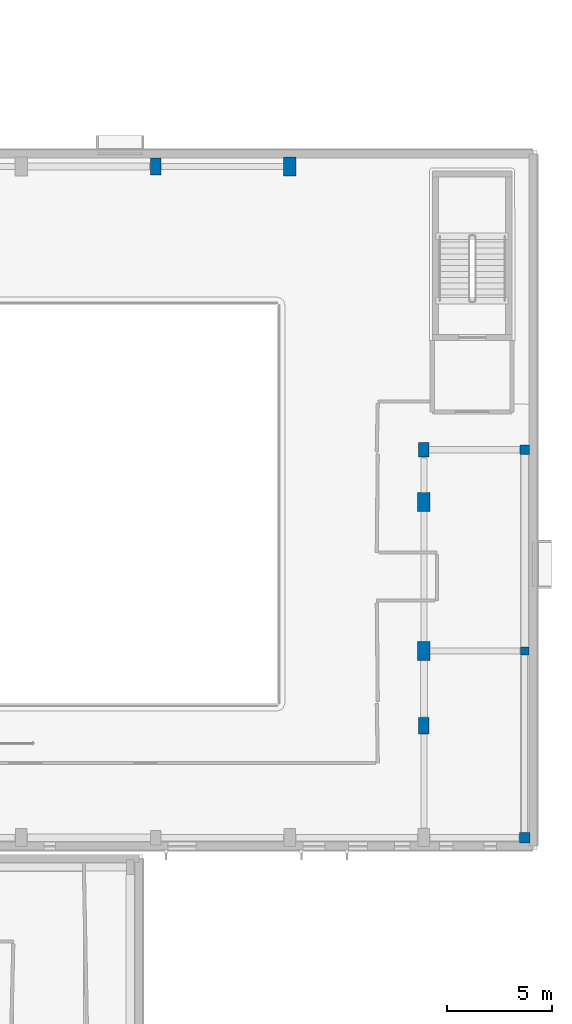
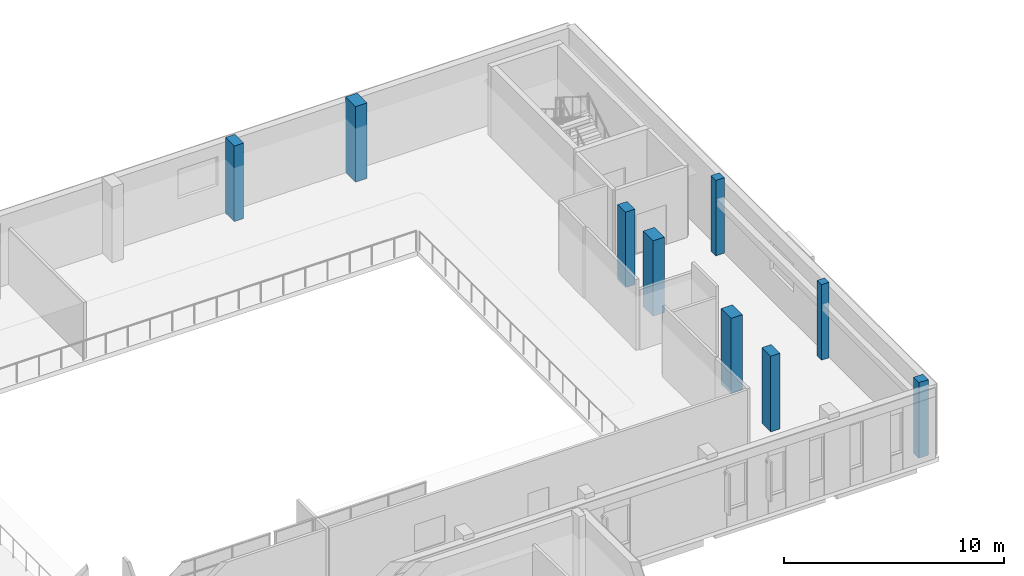
# One storey, part 9 of 84: 9 columns.
"""IFC4 building model written with IfcOpenShell, lengths in metres."""

import ifcopenshell
import ifcopenshell.guid

model = None  # the IFC model being written
_history = None  # IfcOwnerHistory: only IFC2X3 demands one
_inside = {}  # id of a spatial element -> (the spatial element, [elements in it])
_under = {}  # id of a project, library or spatial element -> (it, [spatial elements below it])
_declared = {}  # id of a project -> (the project, [libraries it declares])
_typed = {}  # id of a type object -> (the type object, [elements of that type])
_made_of = {}  # id of a material, layer set ... -> (it, [elements and type objects made of it])


def new_model(schema):
    """Start an empty IFC model of exactly this schema.

    Asked for "IFC4X3", IfcOpenShell would pick the latest addendum, in which some entities
    have other attributes; the version numbers below select the first issue.
    IFC2X3 requires an IfcOwnerHistory on every rooted entity: one is made here for all.
    """
    global model, _history
    if schema == "IFC4X3":
        model = ifcopenshell.file(schema_version=(4, 3, 0, 0))
    else:
        model = ifcopenshell.file(schema=schema)
    _inside.clear()
    _under.clear()
    _declared.clear()
    _typed.clear()
    _made_of.clear()
    _history = None
    if model.schema == "IFC2X3":
        org = make("IfcOrganization", Name="unknown")
        user = make(
            "IfcPersonAndOrganization",
            ThePerson=make("IfcPerson", FamilyName="unknown"),
            TheOrganization=org,
        )
        app = make(
            "IfcApplication",
            ApplicationDeveloper=org,
            Version="unknown",
            ApplicationFullName="unknown",
            ApplicationIdentifier="unknown",
        )
        _history = make(
            "IfcOwnerHistory",
            OwningUser=user,
            OwningApplication=app,
            ChangeAction="ADDED",
            CreationDate=0,
        )
    return model


def make(cls, **values):
    """One entity of the class cls with the attributes given. An attribute that is None is left unset."""
    return model.create_entity(
        cls, **{name: value for name, value in values.items() if value is not None}
    )


def rooted(cls, **values):
    """An entity with a GlobalId (a new one), such as an element, a storey or a relation."""
    return make(cls, GlobalId=ifcopenshell.guid.new(), OwnerHistory=_history, **values)


def si_unit(unit_type, name, prefix=None):
    """IfcSIUnit, for example si_unit("LENGTHUNIT", "METRE", prefix="MILLI")."""
    return make("IfcSIUnit", UnitType=unit_type, Prefix=prefix, Name=name)


def assignment(units):
    """IfcUnitAssignment: the units of a project."""
    return None if units is None else make("IfcUnitAssignment", Units=units)


def point(xyz):
    """IfcCartesianPoint."""
    return None if xyz is None else make("IfcCartesianPoint", Coordinates=xyz)


def direction(xyz):
    """IfcDirection."""
    return None if xyz is None else make("IfcDirection", DirectionRatios=xyz)


def frame(location, z_axis=None, x_axis=None):
    """IfcAxis2Placement3D, a coordinate frame: its origin and axes. An axis left out is left unset."""
    return make(
        "IfcAxis2Placement3D",
        Location=point(location),
        Axis=direction(z_axis),
        RefDirection=direction(x_axis),
    )


def frame_2d(location, x_axis=None):
    """IfcAxis2Placement2D, a coordinate frame in the plane: its origin and x axis."""
    return make(
        "IfcAxis2Placement2D", Location=point(location), RefDirection=direction(x_axis)
    )


def origin():
    """The frame at (0, 0, 0) with its axes left unset."""
    return frame((0.0, 0.0, 0.0))


def origin_2d():
    """The frame at (0, 0) in the plane with its x axis left unset."""
    return frame_2d((0.0, 0.0))


def place(relative_to, where):
    """IfcLocalPlacement: puts the frame where relative to a parent placement (None: the world)."""
    return make(
        "IfcLocalPlacement", PlacementRelTo=relative_to, RelativePlacement=where
    )


def context(
    kind, dimensions, precision=None, world=None, true_north=None, identifier=None
):
    """IfcGeometricRepresentationContext, for example the 3D "Model" context."""
    return make(
        "IfcGeometricRepresentationContext",
        ContextIdentifier=identifier,
        ContextType=kind,
        CoordinateSpaceDimension=dimensions,
        Precision=precision,
        WorldCoordinateSystem=world,
        TrueNorth=true_north,
    )


def subcontext(parent, identifier, kind, view, scale=None):
    """IfcGeometricRepresentationSubContext, for example "Body" below "Model"."""
    return make(
        "IfcGeometricRepresentationSubContext",
        ContextIdentifier=identifier,
        ContextType=kind,
        ParentContext=parent,
        TargetScale=scale,
        TargetView=view,
    )


def project(units=None, contexts=None):
    """IfcProject with its units and contexts."""
    return rooted(
        "IfcProject",
        Name="project",
        RepresentationContexts=contexts,
        UnitsInContext=assignment(units),
    )


def spatial(cls, under=None, at=None, **own):
    """A site, building, storey or space (cls), placed at a placement, below another one or the project."""
    s = rooted(cls, ObjectPlacement=at, **own)
    if under is not None:
        _under.setdefault(under.id(), (under, []))[1].append(s)
    return s


def profile(cls, at=None, kind="AREA", **sizes):
    """A parametric profile (cls). Its sizes go by their IFC names, for example OverallWidth=200.0."""
    return make(cls, ProfileType=kind, Position=at, **sizes)


def rectangle(**sizes):
    """IfcRectangleProfileDef."""
    return profile("IfcRectangleProfileDef", **sizes)


def extrude(swept, where, along, depth):
    """IfcExtrudedAreaSolid: the profile swept, set in the frame where, extruded along a direction by depth."""
    return make(
        "IfcExtrudedAreaSolid",
        SweptArea=swept,
        Position=where,
        ExtrudedDirection=direction(along),
        Depth=depth,
    )


def shape(context_of_items, identifier, shape_type, items):
    """IfcShapeRepresentation: the items that make up one representation, for example the "Body"."""
    return make(
        "IfcShapeRepresentation",
        ContextOfItems=context_of_items,
        RepresentationIdentifier=identifier,
        RepresentationType=shape_type,
        Items=items,
    )


def material(Name=None, Category=None):
    """IfcMaterial."""
    return make("IfcMaterial", Name=Name, Category=Category)


def material_profile(
    of_material, cross_section, Name=None, Category=None, Priority=None
):
    """IfcMaterialProfile: a cross section and its material."""
    return make(
        "IfcMaterialProfile",
        Name=Name,
        Material=of_material,
        Profile=cross_section,
        Priority=Priority,
        Category=Category,
    )


def profile_set(profiles, Name=None, composite=None):
    """IfcMaterialProfileSet."""
    return make(
        "IfcMaterialProfileSet",
        Name=Name,
        MaterialProfiles=profiles,
        CompositeProfile=composite,
    )


def made_of(thing, what):
    """Note that an element or type object is made of a material, layer set ...; save() writes the relation."""
    if what is not None:
        _made_of.setdefault(what.id(), (what, []))[1].append(thing)
    return thing


def type_object(cls, material=None, **own):
    """A type object (cls), such as IfcWallType, which elements share."""
    return made_of(rooted(cls, **own), material)


def element(
    cls,
    number,
    at=None,
    inside=None,
    cuts=None,
    type_object=None,
    material=None,
    context=None,
    identifier="Body",
    shape_type=None,
    held_by="IfcProductDefinitionShape",
    body=None,
    shapes=None,
    **own,
):
    """One element of the class cls, such as IfcWall. Its Tag is "e" and its number.

    at: its placement. inside: the storey or other place that contains it. cuts: it is an
    opening in that element (IfcRelVoidsElement). A single representation is given by context,
    identifier, shape_type and body (its items); several are given by shapes. held_by: the class
    of the entity that holds the representations. save() writes the other relations.
    """
    e = rooted(cls, Tag="e%d" % number, ObjectPlacement=at, **own)
    if body is not None:
        shapes = [shape(context, identifier, shape_type, body)]
    if shapes is not None:
        e.Representation = make(held_by, Representations=shapes)
    if inside is not None:
        _inside.setdefault(inside.id(), (inside, []))[1].append(e)
    if cuts is not None:
        rooted(
            "IfcRelVoidsElement", RelatingBuildingElement=cuts, RelatedOpeningElement=e
        )
    if type_object is not None:
        _typed.setdefault(type_object.id(), (type_object, []))[1].append(e)
    return made_of(e, material)


def aggregate(whole, parts):
    """IfcRelAggregates: a whole, such as a stair, and the parts it consists of."""
    return rooted("IfcRelAggregates", RelatingObject=whole, RelatedObjects=parts)


def save(model, path):
    """Write the relations noted so far, then the file.

    IfcRelAggregates (storeys below a building ...), IfcRelContainedInSpatialStructure (elements
    in a storey), IfcRelDefinesByType, IfcRelAssociatesMaterial and IfcRelDeclares: one each for
    every whole, place, type object, material and project.
    """
    for whole, parts in _under.values():
        aggregate(whole, parts)
    for where, things in _inside.values():
        rooted(
            "IfcRelContainedInSpatialStructure",
            RelatedElements=things,
            RelatingStructure=where,
        )
    for kind, things in _typed.values():
        rooted("IfcRelDefinesByType", RelatedObjects=things, RelatingType=kind)
    for what, things in _made_of.values():
        rooted("IfcRelAssociatesMaterial", RelatedObjects=things, RelatingMaterial=what)
    for by, libraries in _declared.values():
        rooted("IfcRelDeclares", RelatingContext=by, RelatedDefinitions=libraries)
    model.write(path)


model = new_model("IFC4")

# Units and contexts
model_context = context("Model", 3, precision=1e-05, world=origin(), true_north=direction((0.0, 1.0)))
body_context = subcontext(model_context, "Body", "Model", "MODEL_VIEW")
ifc_project = project(units=[si_unit("LENGTHUNIT", "METRE"), si_unit("AREAUNIT", "SQUARE_METRE"), si_unit("VOLUMEUNIT", "CUBIC_METRE"), si_unit("PLANEANGLEUNIT", "RADIAN"), si_unit("MASSUNIT", "GRAM", prefix="KILO")], contexts=[model_context])

# Site, building, storey
site_placement = place(None, origin())
site = spatial("IfcSite", under=ifc_project, at=site_placement, CompositionType="ELEMENT")
building_placement = place(site_placement, origin())
building = spatial("IfcBuilding", under=site, at=building_placement, Name="Mzevani Central Library", CompositionType="ELEMENT")
storey_placement = place(building_placement, frame((0.0, 0.0, 5.39990234375)))
storey = spatial("IfcBuildingStorey", under=building, at=storey_placement, Name="L01", CompositionType="ELEMENT", Elevation=5.39990234375)

# Columns
ifc_material = material(Name="Concrete C40/50", Category="concrete")
ifc_material_profile_1 = material_profile(ifc_material, rectangle(XDim=0.39990234375, YDim=0.39990234375, at=origin_2d()), Name="RC 400x400")
ifc_profile_set_1 = profile_set([ifc_material_profile_1], Name="Concrete C40/50")
column_type_1 = type_object("IfcColumnType", Name="Column RC 400x400", PredefinedType="COLUMN", material=ifc_profile_set_1)
column_1_placement = place(storey_placement, frame((163.800048828125, 52.0, 0.0), z_axis=(0.0, 0.0, 1.0), x_axis=(1.0, 0.0, 0.0)))
element("IfcColumn", 1, at=column_1_placement, inside=storey, type_object=column_type_1, Name="L01 V1 Column C-02 (36)", PredefinedType="COLUMN", context=body_context, shape_type="SweptSolid", body=[
    extrude(rectangle(XDim=0.39990234375, YDim=0.39990234375, at=origin_2d()), origin(), (0.0, 0.0, 1.0), 4.2001953125),
])
ifc_material_profile_2 = material_profile(ifc_material, rectangle(XDim=0.449951171875, YDim=0.449951171875, at=origin_2d()), Name="RC 450x450")
ifc_profile_set_2 = profile_set([ifc_material_profile_2], Name="Concrete C40/50")
column_type_2 = type_object("IfcColumnType", Name="Column RC 450x450", PredefinedType="COLUMN", material=ifc_profile_set_2)
column_2_placement = place(storey_placement, frame((163.800048828125, 61.60009765625, 0.0), z_axis=(0.0, 0.0, 1.0), x_axis=(1.0, 0.0, 0.0)))
element("IfcColumn", 2, at=column_2_placement, inside=storey, type_object=column_type_2, Name="L01 V1 Column C-03 (37)", PredefinedType="COLUMN", context=body_context, shape_type="SweptSolid", body=[
    extrude(rectangle(XDim=0.449951171875, YDim=0.449951171875, at=origin_2d()), origin(), (0.0, 0.0, 1.0), 4.2001953125),
])
ifc_material_profile_3 = material_profile(ifc_material, rectangle(XDim=0.5, YDim=0.5, at=origin_2d()), Name="RC 500x500")
ifc_profile_set_3 = profile_set([ifc_material_profile_3], Name="Concrete C40/50")
column_type_3 = type_object("IfcColumnType", Name="Column RC 500x500", PredefinedType="COLUMN", material=ifc_profile_set_3)
column_3_placement = place(storey_placement, frame((163.800048828125, 43.10009765625, 0.0), z_axis=(0.0, 0.0, 1.0), x_axis=(1.0, 0.0, 0.0)))
element("IfcColumn", 3, at=column_3_placement, inside=storey, type_object=column_type_3, Name="L01 V1 Column C-04 (35)", PredefinedType="COLUMN", context=body_context, shape_type="SweptSolid", body=[
    extrude(rectangle(XDim=0.5, YDim=0.5, at=origin_2d()), origin(), (0.0, 0.0, 1.0), 4.2001953125),
])
ifc_material_profile_4 = material_profile(ifc_material, rectangle(XDim=0.5, YDim=0.699951171875, at=origin_2d()), Name="RC 500x700")
ifc_profile_set_4 = profile_set([ifc_material_profile_4], Name="Concrete C40/50")
column_type_4 = type_object("IfcColumnType", Name="Column RC 500x700", PredefinedType="COLUMN", material=ifc_profile_set_4)
column_4_placement = place(storey_placement, frame((159.0, 61.60009765625, 0.0), z_axis=(0.0, 0.0, 1.0), x_axis=(1.0, 0.0, 0.0)))
element("IfcColumn", 4, at=column_4_placement, inside=storey, type_object=column_type_4, Name="L01 V1 Column C-14 (34)", PredefinedType="COLUMN", context=body_context, shape_type="SweptSolid", body=[
    extrude(rectangle(XDim=0.5, YDim=0.699951171875, at=origin_2d()), origin(), (0.0, 0.0, 1.0), 4.2001953125),
])
ifc_material_profile_5 = material_profile(ifc_material, rectangle(XDim=0.5, YDim=0.800048828125, at=origin_2d()), Name="RC 500x800")
ifc_profile_set_5 = profile_set([ifc_material_profile_5], Name="Concrete C40/50")
column_type_5 = type_object("IfcColumnType", Name="Column RC 500x800", PredefinedType="COLUMN", material=ifc_profile_set_5)
for number, where, z_axis, x_axis, name in (
    (5, (146.199951171875, 75.10009765625, 0.0), (0.0, 0.0, 1.0), (1.0, 0.0, 0.0), "L01 V1 Column C-15 (47)"),
    (6, (159.0, 48.43310546875, 0.0), (0.0, 0.0, 1.0), (1.0, 0.0, 0.0), "L01 V1 Column C-15 (51)"),
):
    element("IfcColumn", number, at=place(storey_placement, frame(where, z_axis=z_axis, x_axis=x_axis)), inside=storey, type_object=column_type_5, Name=name, PredefinedType="COLUMN", context=body_context, shape_type="SweptSolid", body=[
        extrude(rectangle(XDim=0.5, YDim=0.800048828125, at=origin_2d()), origin(), (0.0, 0.0, 1.0), 4.2001953125),
    ])
ifc_material_profile_6 = material_profile(ifc_material, rectangle(XDim=0.60009765625, YDim=0.89990234375, at=origin_2d()), Name="RC 600x900")
ifc_profile_set_6 = profile_set([ifc_material_profile_6], Name="Concrete C40/50")
column_type_6 = type_object("IfcColumnType", Name="Column RC 600x900", PredefinedType="COLUMN", material=ifc_profile_set_6)
for number, where, z_axis, x_axis, name in (
    (7, (159.0, 52.0, 0.0), (0.0, 0.0, 1.0), (1.0, 0.0, 0.0), "L01 V1 Column C-17 (33)"),
    (8, (152.60009765625, 75.10009765625, 0.0), (0.0, 0.0, 1.0), (1.0, 0.0, 0.0), "L01 V1 Column C-17 (49)"),
    (9, (159.0, 59.10009765625, 0.0), (0.0, 0.0, 1.0), (1.0, 0.0, 0.0), "L01 V1 Column C-17 (53)"),
):
    element("IfcColumn", number, at=place(storey_placement, frame(where, z_axis=z_axis, x_axis=x_axis)), inside=storey, type_object=column_type_6, Name=name, PredefinedType="COLUMN", context=body_context, shape_type="SweptSolid", body=[
        extrude(rectangle(XDim=0.60009765625, YDim=0.89990234375, at=origin_2d()), origin(), (0.0, 0.0, 1.0), 4.2001953125),
    ])

save(model, "model.ifc")
